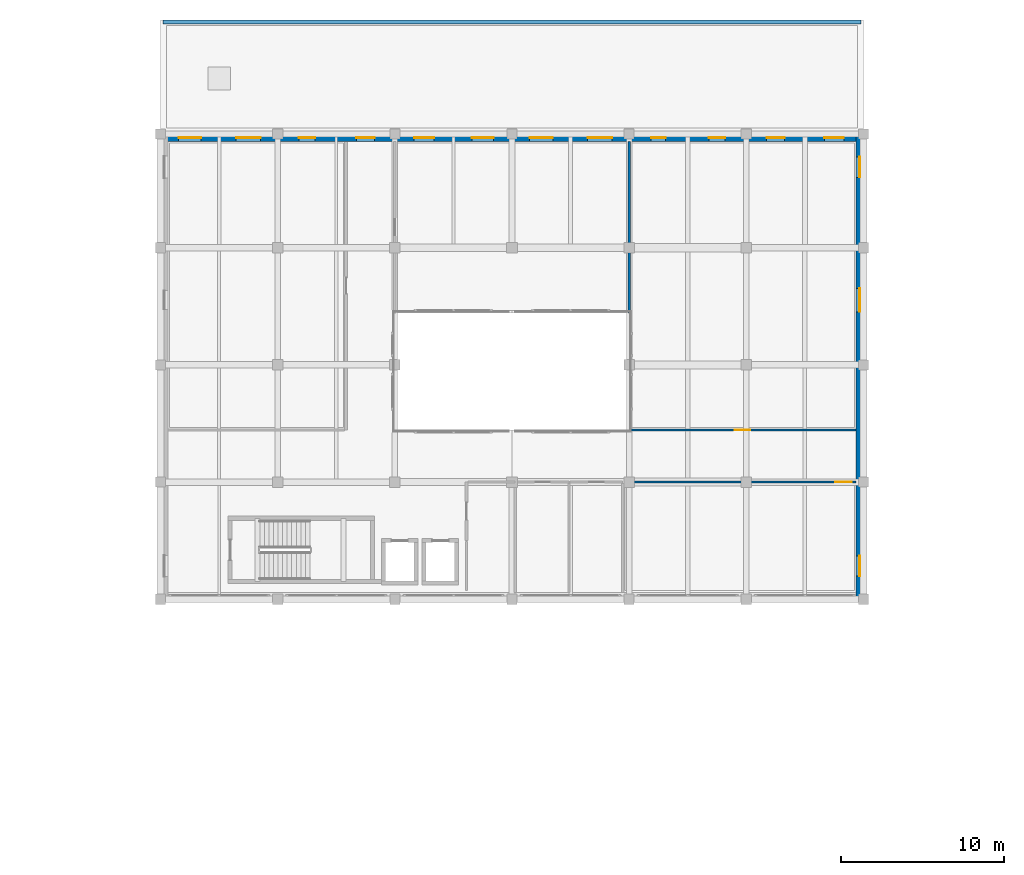
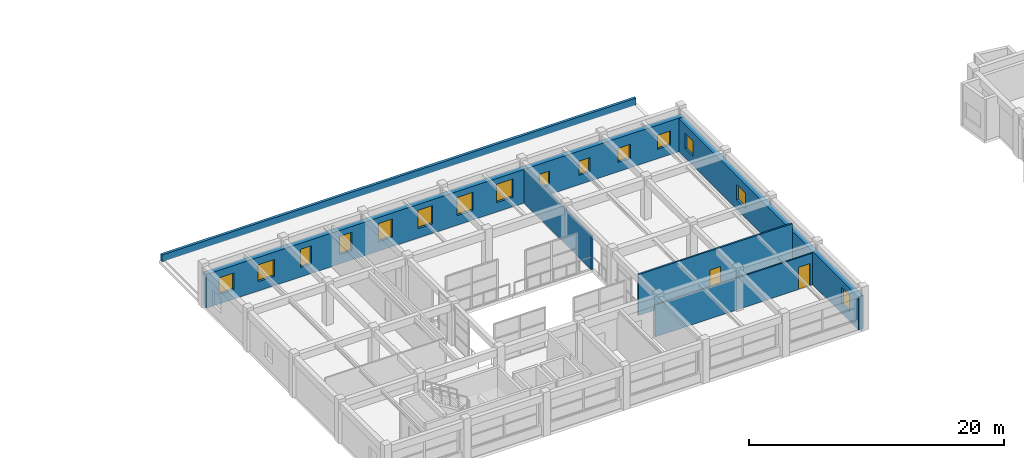
# One storey, part 51 of 67: 15 windows, 6 walls, 2 doors, 17 openings.
"""IFC4 building model written with IfcOpenShell, lengths in metres."""

from ifc_helpers import new_model, si_unit, direction, frame, frame_2d, origin, place, context, subcontext, project, spatial, rectangle, extrude, material, layer, layer_set, type_object, element, fill, save


model = new_model("IFC4")

# Units and contexts
model_context = context("Model", 3, precision=1e-05, world=origin(), true_north=direction((0.0, 1.0)))
body_context = subcontext(model_context, "Body", "Model", "MODEL_VIEW")
ifc_project = project(units=[si_unit("LENGTHUNIT", "METRE"), si_unit("AREAUNIT", "SQUARE_METRE"), si_unit("VOLUMEUNIT", "CUBIC_METRE"), si_unit("PLANEANGLEUNIT", "RADIAN"), si_unit("MASSUNIT", "GRAM", prefix="KILO")], contexts=[model_context])

# Site, building, storey
site_placement = place(None, origin())
site = spatial("IfcSite", under=ifc_project, at=site_placement, CompositionType="ELEMENT")
building_placement = place(site_placement, origin())
building = spatial("IfcBuilding", under=site, at=building_placement, Name="Bramveld Media Centre", CompositionType="ELEMENT")
storey_placement = place(building_placement, frame((0.0, 0.0, 5.39990234375)))
storey = spatial("IfcBuildingStorey", under=building, at=storey_placement, Name="L01", CompositionType="ELEMENT", Elevation=5.39990234375)

# Wall, openings, windows
ifc_material_1 = material(Name="Flemish red-brown clay facing brick cavity wall with concrete C35/45 inner leaf", Category="masonry")
ifc_layer_1 = layer(ifc_material_1, 0.4599609375)
ifc_layer_set_1 = layer_set([ifc_layer_1], Name="Flemish red-brown clay facing brick cavity wall with concrete C35/45 inner leaf")
wall_type_1 = type_object("IfcWallType", Name="EW-BRK-460", PredefinedType="SOLIDWALL", material=ifc_layer_set_1)
wall_1_placement = place(storey_placement, frame((108.570068359375, 119.0, 0.0), z_axis=(0.0, 0.0, 1.0), x_axis=(0.0, -1.0, 0.0)))
wall_1 = element("IfcWall", 1, at=wall_1_placement, inside=storey, type_object=wall_type_1, Name="V6 L01 E facing brick exterior wall", PredefinedType="SOLIDWALL", context=body_context, shape_type="SweptSolid", body=[
    extrude(rectangle(XDim=28.60009765625, YDim=0.4599609375, at=frame_2d((14.300048828125, 0.0))), origin(), (0.0, 0.0, 1.0), 3.175048828125),
])
opening_1_placement = place(wall_1_placement, frame((1.41796875, 0.0, 0.89990234375)))
opening_1 = element("IfcOpeningElement", 2, at=opening_1_placement, cuts=wall_1, Name="Opening W-10", PredefinedType="OPENING", context=body_context, shape_type="SweptSolid", body=[
    extrude(rectangle(XDim=1.25, YDim=1.449951171875, at=frame_2d((0.625, 0.72509765625))), frame((0.0, 0.241943359375, 0.0), z_axis=(0.0, -1.0, 0.0), x_axis=(1.0, 0.0, 0.0)), (0.0, 0.0, 1.0), 0.48388671875),
])
opening_2_placement = place(wall_1_placement, frame((9.4892578125, 0.0, 0.89990234375)))
opening_2 = element("IfcOpeningElement", 3, at=opening_2_placement, cuts=wall_1, Name="Opening W-12", PredefinedType="OPENING", context=body_context, shape_type="SweptSolid", body=[
    extrude(rectangle(XDim=1.449951171875, YDim=1.449951171875, at=frame_2d((0.72509765625, 0.72509765625))), frame((0.0, 0.241943359375, 0.0), z_axis=(0.0, -1.0, 0.0), x_axis=(1.0, 0.0, 0.0)), (0.0, 0.0, 1.0), 0.48388671875),
])
opening_3_placement = place(wall_1_placement, frame((25.93212890625, 0.0, 0.89990234375)))
opening_3 = element("IfcOpeningElement", 4, at=opening_3_placement, cuts=wall_1, Name="Opening W-16", PredefinedType="OPENING", context=body_context, shape_type="SweptSolid", body=[
    extrude(rectangle(XDim=1.25, YDim=1.60009765625, at=frame_2d((0.625, 0.800048828125))), frame((0.0, 0.241943359375, 0.0), z_axis=(0.0, -1.0, 0.0), x_axis=(1.0, 0.0, 0.0)), (0.0, 0.0, 1.0), 0.48388671875),
])
ifc_material_2 = material(Name="Thermally broken anodized bronze aluminium frame with triple acoustic glazing", Category="aluminium")
window_type_1 = type_object("IfcWindowType", Name="WIN-FAC-10", PartitioningType="SINGLE_PANEL", PredefinedType="WINDOW", material=ifc_material_2)
window_1_placement = place(opening_1_placement, origin())
window_1 = element("IfcWindow", 5, at=window_1_placement, inside=storey, type_object=window_type_1, Name="V6 L01 E acoustic facade window", OverallHeight=1.449951171875, OverallWidth=1.25, PartitioningType="SINGLE_PANEL", PredefinedType="WINDOW", context=body_context, shape_type="SweptSolid", body=[
    extrude(rectangle(XDim=1.25, YDim=1.449951171875, at=frame_2d((0.625, 0.72509765625))), frame((0.0, 0.030029296875, 0.0), z_axis=(0.0, -1.0, 0.0), x_axis=(1.0, 0.0, 0.0)), (0.0, 0.0, 1.0), 0.06005859375),
])
fill(opening_1, window_1)
ifc_material_3 = material(Name="Thermally broken anodized bronze aluminium frame with triple acoustic glazing", Category="aluminium")
window_type_2 = type_object("IfcWindowType", Name="WIN-FAC-12", PartitioningType="SINGLE_PANEL", PredefinedType="WINDOW", material=ifc_material_3)
window_2_placement = place(opening_2_placement, origin())
window_2 = element("IfcWindow", 6, at=window_2_placement, inside=storey, type_object=window_type_2, Name="V6 L01 E acoustic facade window", OverallHeight=1.449951171875, OverallWidth=1.449951171875, PartitioningType="SINGLE_PANEL", PredefinedType="WINDOW", context=body_context, shape_type="SweptSolid", body=[
    extrude(rectangle(XDim=1.449951171875, YDim=1.449951171875, at=frame_2d((0.72509765625, 0.72509765625))), frame((0.0, 0.030029296875, 0.0), z_axis=(0.0, -1.0, 0.0), x_axis=(1.0, 0.0, 0.0)), (0.0, 0.0, 1.0), 0.06005859375),
])
fill(opening_2, window_2)
ifc_material_4 = material(Name="Thermally broken anodized bronze aluminium frame with triple acoustic glazing", Category="aluminium")
window_type_3 = type_object("IfcWindowType", Name="WIN-FAC-16", PartitioningType="SINGLE_PANEL", PredefinedType="WINDOW", material=ifc_material_4)
window_3_placement = place(opening_3_placement, origin())
window_3 = element("IfcWindow", 7, at=window_3_placement, inside=storey, type_object=window_type_3, Name="V6 L01 E acoustic facade window", OverallHeight=1.60009765625, OverallWidth=1.25, PartitioningType="SINGLE_PANEL", PredefinedType="WINDOW", context=body_context, shape_type="SweptSolid", body=[
    extrude(rectangle(XDim=1.25, YDim=1.60009765625, at=frame_2d((0.625, 0.800048828125))), frame((0.0, 0.030029296875, 0.0), z_axis=(0.0, -1.0, 0.0), x_axis=(1.0, 0.0, 0.0)), (0.0, 0.0, 1.0), 0.06005859375),
])
fill(opening_3, window_3)

wall_2_placement = place(storey_placement, frame((65.60009765625, 118.77001953125, 0.0), z_axis=(0.0, 0.0, 1.0), x_axis=(1.0, 0.0, 0.0)))
wall_2 = element("IfcWall", 8, at=wall_2_placement, inside=storey, type_object=wall_type_1, Name="V6 L01 N facing brick exterior wall", PredefinedType="SOLIDWALL", context=body_context, shape_type="SweptSolid", body=[
    extrude(rectangle(XDim=43.199951171875, YDim=0.4599609375, at=frame_2d((21.60009765625, 0.0))), origin(), (0.0, 0.0, 1.0), 3.215087890625),
])
opening_4_placement = place(wall_2_placement, frame((1.110107421875, 0.0, 0.89990234375)))
opening_4 = element("IfcOpeningElement", 9, at=opening_4_placement, cuts=wall_2, Name="Opening W-17", PredefinedType="OPENING", context=body_context, shape_type="SweptSolid", body=[
    extrude(rectangle(XDim=1.3798828125, YDim=1.60009765625, at=frame_2d((0.68994140625, 0.800048828125))), frame((0.0, 0.241943359375, 0.0), z_axis=(0.0, -1.0, 0.0), x_axis=(1.0, 0.0, 0.0)), (0.0, 0.0, 1.0), 0.48388671875),
])
opening_5_placement = place(wall_2_placement, frame((4.64990234375, 0.0, 0.89990234375)))
opening_5 = element("IfcOpeningElement", 10, at=opening_5_placement, cuts=wall_2, Name="Opening W-18", PredefinedType="OPENING", context=body_context, shape_type="SweptSolid", body=[
    extrude(rectangle(XDim=1.5, YDim=1.60009765625, at=frame_2d((0.75, 0.800048828125))), frame((0.0, 0.241943359375, 0.0), z_axis=(0.0, -1.0, 0.0), x_axis=(1.0, 0.0, 0.0)), (0.0, 0.0, 1.0), 0.48388671875),
])
opening_6_placement = place(wall_2_placement, frame((8.5, 0.0, 0.89990234375)))
opening_6 = element("IfcOpeningElement", 11, at=opening_6_placement, cuts=wall_2, Name="Opening W-19", PredefinedType="OPENING", context=body_context, shape_type="SweptSolid", body=[
    extrude(rectangle(XDim=1.0, YDim=1.75, at=frame_2d((0.5, 0.875))), frame((0.0, 0.241943359375, 0.0), z_axis=(0.0, -1.0, 0.0), x_axis=(1.0, 0.0, 0.0)), (0.0, 0.0, 1.0), 0.48388671875),
])
opening_7_placement = place(wall_2_placement, frame((12.0400390625, 0.0, 0.89990234375)))
opening_7 = element("IfcOpeningElement", 12, at=opening_7_placement, cuts=wall_2, Name="Opening W-20", PredefinedType="OPENING", context=body_context, shape_type="SweptSolid", body=[
    extrude(rectangle(XDim=1.1201171875, YDim=1.75, at=frame_2d((0.56005859375, 0.875))), frame((0.0, 0.241943359375, 0.0), z_axis=(0.0, -1.0, 0.0), x_axis=(1.0, 0.0, 0.0)), (0.0, 0.0, 1.0), 0.48388671875),
])
opening_8_placement = place(wall_2_placement, frame((15.580078125, 0.0, 0.89990234375)))
opening_8 = element("IfcOpeningElement", 13, at=opening_8_placement, cuts=wall_2, Name="Opening W-21", PredefinedType="OPENING", context=body_context, shape_type="SweptSolid", body=[
    extrude(rectangle(XDim=1.239990234375, YDim=1.75, at=frame_2d((0.6201171875, 0.875))), frame((0.0, 0.241943359375, 0.0), z_axis=(0.0, -1.0, 0.0), x_axis=(1.0, 0.0, 0.0)), (0.0, 0.0, 1.0), 0.48388671875),
])
opening_9_placement = place(wall_2_placement, frame((19.1298828125, 0.0, 0.89990234375)))
opening_9 = element("IfcOpeningElement", 14, at=opening_9_placement, cuts=wall_2, Name="Opening W-22", PredefinedType="OPENING", context=body_context, shape_type="SweptSolid", body=[
    extrude(rectangle(XDim=1.340087890625, YDim=1.75, at=frame_2d((0.669921875, 0.875))), frame((0.0, 0.241943359375, 0.0), z_axis=(0.0, -1.0, 0.0), x_axis=(1.0, 0.0, 0.0)), (0.0, 0.0, 1.0), 0.48388671875),
])
opening_10_placement = place(wall_2_placement, frame((22.679931640625, 0.0, 0.89990234375)))
opening_10 = element("IfcOpeningElement", 15, at=opening_10_placement, cuts=wall_2, Name="Opening W-23", PredefinedType="OPENING", context=body_context, shape_type="SweptSolid", body=[
    extrude(rectangle(XDim=1.43994140625, YDim=1.75, at=frame_2d((0.719970703125, 0.875))), frame((0.0, 0.241943359375, 0.0), z_axis=(0.0, -1.0, 0.0), x_axis=(1.0, 0.0, 0.0)), (0.0, 0.0, 1.0), 0.48388671875),
])
opening_11_placement = place(wall_2_placement, frame((26.25, 0.0, 0.89990234375)))
opening_11 = element("IfcOpeningElement", 16, at=opening_11_placement, cuts=wall_2, Name="Opening W-24", PredefinedType="OPENING", context=body_context, shape_type="SweptSolid", body=[
    extrude(rectangle(XDim=1.5, YDim=1.75, at=frame_2d((0.75, 0.875))), frame((0.0, 0.241943359375, 0.0), z_axis=(0.0, -1.0, 0.0), x_axis=(1.0, 0.0, 0.0)), (0.0, 0.0, 1.0), 0.48388671875),
])
opening_12_placement = place(wall_2_placement, frame((30.14990234375, 0.0, 0.89990234375)))
opening_12 = element("IfcOpeningElement", 17, at=opening_12_placement, cuts=wall_2, Name="Opening W-01", PredefinedType="OPENING", context=body_context, shape_type="SweptSolid", body=[
    extrude(rectangle(XDim=0.89990234375, YDim=1.35009765625, at=frame_2d((0.449951171875, 0.675048828125))), frame((0.0, 0.241943359375, 0.0), z_axis=(0.0, -1.0, 0.0), x_axis=(1.0, 0.0, 0.0)), (0.0, 0.0, 1.0), 0.48388671875),
])
opening_13_placement = place(wall_2_placement, frame((33.699951171875, 0.0, 0.89990234375)))
opening_13 = element("IfcOpeningElement", 18, at=opening_13_placement, cuts=wall_2, Name="Opening W-02", PredefinedType="OPENING", context=body_context, shape_type="SweptSolid", body=[
    extrude(rectangle(XDim=1.0, YDim=1.35009765625, at=frame_2d((0.5, 0.675048828125))), frame((0.0, 0.241943359375, 0.0), z_axis=(0.0, -1.0, 0.0), x_axis=(1.0, 0.0, 0.0)), (0.0, 0.0, 1.0), 0.48388671875),
])
opening_14_placement = place(wall_2_placement, frame((37.25, 0.0, 0.89990234375)))
opening_14 = element("IfcOpeningElement", 19, at=opening_14_placement, cuts=wall_2, Name="Opening W-03", PredefinedType="OPENING", context=body_context, shape_type="SweptSolid", body=[
    extrude(rectangle(XDim=1.10009765625, YDim=1.35009765625, at=frame_2d((0.550048828125, 0.675048828125))), frame((0.0, 0.241943359375, 0.0), z_axis=(0.0, -1.0, 0.0), x_axis=(1.0, 0.0, 0.0)), (0.0, 0.0, 1.0), 0.48388671875),
])
opening_15_placement = place(wall_2_placement, frame((40.800048828125, 0.0, 0.89990234375)))
opening_15 = element("IfcOpeningElement", 20, at=opening_15_placement, cuts=wall_2, Name="Opening W-04", PredefinedType="OPENING", context=body_context, shape_type="SweptSolid", body=[
    extrude(rectangle(XDim=1.199951171875, YDim=1.35009765625, at=frame_2d((0.60009765625, 0.675048828125))), frame((0.0, 0.241943359375, 0.0), z_axis=(0.0, -1.0, 0.0), x_axis=(1.0, 0.0, 0.0)), (0.0, 0.0, 1.0), 0.48388671875),
])
ifc_material_5 = material(Name="Thermally broken anodized bronze aluminium frame with triple acoustic glazing", Category="aluminium")
window_type_4 = type_object("IfcWindowType", Name="WIN-FAC-01", PartitioningType="SINGLE_PANEL", PredefinedType="WINDOW", material=ifc_material_5)
window_4_placement = place(opening_12_placement, origin())
window_4 = element("IfcWindow", 21, at=window_4_placement, inside=storey, type_object=window_type_4, Name="V6 L01 N acoustic facade window", OverallHeight=1.35009765625, OverallWidth=0.89990234375, PartitioningType="SINGLE_PANEL", PredefinedType="WINDOW", context=body_context, shape_type="SweptSolid", body=[
    extrude(rectangle(XDim=0.89990234375, YDim=1.35009765625, at=frame_2d((0.449951171875, 0.675048828125))), frame((0.0, 0.030029296875, 0.0), z_axis=(0.0, -1.0, 0.0), x_axis=(1.0, 0.0, 0.0)), (0.0, 0.0, 1.0), 0.06005859375),
])
fill(opening_12, window_4)
ifc_material_6 = material(Name="Thermally broken anodized bronze aluminium frame with triple acoustic glazing", Category="aluminium")
window_type_5 = type_object("IfcWindowType", Name="WIN-FAC-02", PartitioningType="SINGLE_PANEL", PredefinedType="WINDOW", material=ifc_material_6)
window_5_placement = place(opening_13_placement, origin())
window_5 = element("IfcWindow", 22, at=window_5_placement, inside=storey, type_object=window_type_5, Name="V6 L01 N acoustic facade window", OverallHeight=1.35009765625, OverallWidth=1.0, PartitioningType="SINGLE_PANEL", PredefinedType="WINDOW", context=body_context, shape_type="SweptSolid", body=[
    extrude(rectangle(XDim=1.0, YDim=1.35009765625, at=frame_2d((0.5, 0.675048828125))), frame((0.0, 0.030029296875, 0.0), z_axis=(0.0, -1.0, 0.0), x_axis=(1.0, 0.0, 0.0)), (0.0, 0.0, 1.0), 0.06005859375),
])
fill(opening_13, window_5)
ifc_material_7 = material(Name="Thermally broken anodized bronze aluminium frame with triple acoustic glazing", Category="aluminium")
window_type_6 = type_object("IfcWindowType", Name="WIN-FAC-03", PartitioningType="SINGLE_PANEL", PredefinedType="WINDOW", material=ifc_material_7)
window_6_placement = place(opening_14_placement, origin())
window_6 = element("IfcWindow", 23, at=window_6_placement, inside=storey, type_object=window_type_6, Name="V6 L01 N acoustic facade window", OverallHeight=1.35009765625, OverallWidth=1.10009765625, PartitioningType="SINGLE_PANEL", PredefinedType="WINDOW", context=body_context, shape_type="SweptSolid", body=[
    extrude(rectangle(XDim=1.10009765625, YDim=1.35009765625, at=frame_2d((0.550048828125, 0.675048828125))), frame((0.0, 0.030029296875, 0.0), z_axis=(0.0, -1.0, 0.0), x_axis=(1.0, 0.0, 0.0)), (0.0, 0.0, 1.0), 0.06005859375),
])
fill(opening_14, window_6)
ifc_material_8 = material(Name="Thermally broken anodized bronze aluminium frame with triple acoustic glazing", Category="aluminium")
window_type_7 = type_object("IfcWindowType", Name="WIN-FAC-04", PartitioningType="SINGLE_PANEL", PredefinedType="WINDOW", material=ifc_material_8)
window_7_placement = place(opening_15_placement, origin())
window_7 = element("IfcWindow", 24, at=window_7_placement, inside=storey, type_object=window_type_7, Name="V6 L01 N acoustic facade window", OverallHeight=1.35009765625, OverallWidth=1.199951171875, PartitioningType="SINGLE_PANEL", PredefinedType="WINDOW", context=body_context, shape_type="SweptSolid", body=[
    extrude(rectangle(XDim=1.199951171875, YDim=1.35009765625, at=frame_2d((0.60009765625, 0.675048828125))), frame((0.0, 0.030029296875, 0.0), z_axis=(0.0, -1.0, 0.0), x_axis=(1.0, 0.0, 0.0)), (0.0, 0.0, 1.0), 0.06005859375),
])
fill(opening_15, window_7)
ifc_material_9 = material(Name="Thermally broken anodized bronze aluminium frame with triple acoustic glazing", Category="aluminium")
window_type_8 = type_object("IfcWindowType", Name="WIN-FAC-17", PartitioningType="SINGLE_PANEL", PredefinedType="WINDOW", material=ifc_material_9)
window_8_placement = place(opening_4_placement, origin())
window_8 = element("IfcWindow", 25, at=window_8_placement, inside=storey, type_object=window_type_8, Name="V6 L01 N acoustic facade window", OverallHeight=1.60009765625, OverallWidth=1.3798828125, PartitioningType="SINGLE_PANEL", PredefinedType="WINDOW", context=body_context, shape_type="SweptSolid", body=[
    extrude(rectangle(XDim=1.3798828125, YDim=1.60009765625, at=frame_2d((0.68994140625, 0.800048828125))), frame((0.0, 0.030029296875, 0.0), z_axis=(0.0, -1.0, 0.0), x_axis=(1.0, 0.0, 0.0)), (0.0, 0.0, 1.0), 0.06005859375),
])
fill(opening_4, window_8)
ifc_material_10 = material(Name="Thermally broken anodized bronze aluminium frame with triple acoustic glazing", Category="aluminium")
window_type_9 = type_object("IfcWindowType", Name="WIN-FAC-18", PartitioningType="SINGLE_PANEL", PredefinedType="WINDOW", material=ifc_material_10)
window_9_placement = place(opening_5_placement, origin())
window_9 = element("IfcWindow", 26, at=window_9_placement, inside=storey, type_object=window_type_9, Name="V6 L01 N acoustic facade window", OverallHeight=1.60009765625, OverallWidth=1.5, PartitioningType="SINGLE_PANEL", PredefinedType="WINDOW", context=body_context, shape_type="SweptSolid", body=[
    extrude(rectangle(XDim=1.5, YDim=1.60009765625, at=frame_2d((0.75, 0.800048828125))), frame((0.0, 0.030029296875, 0.0), z_axis=(0.0, -1.0, 0.0), x_axis=(1.0, 0.0, 0.0)), (0.0, 0.0, 1.0), 0.06005859375),
])
fill(opening_5, window_9)
ifc_material_11 = material(Name="Thermally broken anodized bronze aluminium frame with triple acoustic glazing", Category="aluminium")
window_type_10 = type_object("IfcWindowType", Name="WIN-FAC-19", PartitioningType="SINGLE_PANEL", PredefinedType="WINDOW", material=ifc_material_11)
window_10_placement = place(opening_6_placement, origin())
window_10 = element("IfcWindow", 27, at=window_10_placement, inside=storey, type_object=window_type_10, Name="V6 L01 N acoustic facade window", OverallHeight=1.75, OverallWidth=1.0, PartitioningType="SINGLE_PANEL", PredefinedType="WINDOW", context=body_context, shape_type="SweptSolid", body=[
    extrude(rectangle(XDim=1.0, YDim=1.75, at=frame_2d((0.5, 0.875))), frame((0.0, 0.030029296875, 0.0), z_axis=(0.0, -1.0, 0.0), x_axis=(1.0, 0.0, 0.0)), (0.0, 0.0, 1.0), 0.06005859375),
])
fill(opening_6, window_10)
ifc_material_12 = material(Name="Thermally broken anodized bronze aluminium frame with triple acoustic glazing", Category="aluminium")
window_type_11 = type_object("IfcWindowType", Name="WIN-FAC-20", PartitioningType="SINGLE_PANEL", PredefinedType="WINDOW", material=ifc_material_12)
window_11_placement = place(opening_7_placement, origin())
window_11 = element("IfcWindow", 28, at=window_11_placement, inside=storey, type_object=window_type_11, Name="V6 L01 N acoustic facade window", OverallHeight=1.75, OverallWidth=1.1201171875, PartitioningType="SINGLE_PANEL", PredefinedType="WINDOW", context=body_context, shape_type="SweptSolid", body=[
    extrude(rectangle(XDim=1.1201171875, YDim=1.75, at=frame_2d((0.56005859375, 0.875))), frame((0.0, 0.030029296875, 0.0), z_axis=(0.0, -1.0, 0.0), x_axis=(1.0, 0.0, 0.0)), (0.0, 0.0, 1.0), 0.06005859375),
])
fill(opening_7, window_11)
ifc_material_13 = material(Name="Thermally broken anodized bronze aluminium frame with triple acoustic glazing", Category="aluminium")
window_type_12 = type_object("IfcWindowType", Name="WIN-FAC-21", PartitioningType="SINGLE_PANEL", PredefinedType="WINDOW", material=ifc_material_13)
window_12_placement = place(opening_8_placement, origin())
window_12 = element("IfcWindow", 29, at=window_12_placement, inside=storey, type_object=window_type_12, Name="V6 L01 N acoustic facade window", OverallHeight=1.75, OverallWidth=1.239990234375, PartitioningType="SINGLE_PANEL", PredefinedType="WINDOW", context=body_context, shape_type="SweptSolid", body=[
    extrude(rectangle(XDim=1.239990234375, YDim=1.75, at=frame_2d((0.6201171875, 0.875))), frame((0.0, 0.030029296875, 0.0), z_axis=(0.0, -1.0, 0.0), x_axis=(1.0, 0.0, 0.0)), (0.0, 0.0, 1.0), 0.06005859375),
])
fill(opening_8, window_12)
ifc_material_14 = material(Name="Thermally broken anodized bronze aluminium frame with triple acoustic glazing", Category="aluminium")
window_type_13 = type_object("IfcWindowType", Name="WIN-FAC-22", PartitioningType="SINGLE_PANEL", PredefinedType="WINDOW", material=ifc_material_14)
window_13_placement = place(opening_9_placement, origin())
window_13 = element("IfcWindow", 30, at=window_13_placement, inside=storey, type_object=window_type_13, Name="V6 L01 N acoustic facade window", OverallHeight=1.75, OverallWidth=1.340087890625, PartitioningType="SINGLE_PANEL", PredefinedType="WINDOW", context=body_context, shape_type="SweptSolid", body=[
    extrude(rectangle(XDim=1.340087890625, YDim=1.75, at=frame_2d((0.669921875, 0.875))), frame((0.0, 0.030029296875, 0.0), z_axis=(0.0, -1.0, 0.0), x_axis=(1.0, 0.0, 0.0)), (0.0, 0.0, 1.0), 0.06005859375),
])
fill(opening_9, window_13)
ifc_material_15 = material(Name="Thermally broken anodized bronze aluminium frame with triple acoustic glazing", Category="aluminium")
window_type_14 = type_object("IfcWindowType", Name="WIN-FAC-23", PartitioningType="SINGLE_PANEL", PredefinedType="WINDOW", material=ifc_material_15)
window_14_placement = place(opening_10_placement, origin())
window_14 = element("IfcWindow", 31, at=window_14_placement, inside=storey, type_object=window_type_14, Name="V6 L01 N acoustic facade window", OverallHeight=1.75, OverallWidth=1.43994140625, PartitioningType="SINGLE_PANEL", PredefinedType="WINDOW", context=body_context, shape_type="SweptSolid", body=[
    extrude(rectangle(XDim=1.43994140625, YDim=1.75, at=frame_2d((0.719970703125, 0.875))), frame((0.0, 0.030029296875, 0.0), z_axis=(0.0, -1.0, 0.0), x_axis=(1.0, 0.0, 0.0)), (0.0, 0.0, 1.0), 0.06005859375),
])
fill(opening_10, window_14)
ifc_material_16 = material(Name="Thermally broken anodized bronze aluminium frame with triple acoustic glazing", Category="aluminium")
window_type_15 = type_object("IfcWindowType", Name="WIN-FAC-24", PartitioningType="SINGLE_PANEL", PredefinedType="WINDOW", material=ifc_material_16)
window_15_placement = place(opening_11_placement, origin())
window_15 = element("IfcWindow", 32, at=window_15_placement, inside=storey, type_object=window_type_15, Name="V6 L01 N acoustic facade window", OverallHeight=1.75, OverallWidth=1.5, PartitioningType="SINGLE_PANEL", PredefinedType="WINDOW", context=body_context, shape_type="SweptSolid", body=[
    extrude(rectangle(XDim=1.5, YDim=1.75, at=frame_2d((0.75, 0.875))), frame((0.0, 0.030029296875, 0.0), z_axis=(0.0, -1.0, 0.0), x_axis=(1.0, 0.0, 0.0)), (0.0, 0.0, 1.0), 0.06005859375),
])
fill(opening_11, window_15)

# Wall, opening, door
ifc_material_17 = material(Name="Lightweight acoustic stud partition", Category="gypsum")
ifc_layer_2 = layer(ifc_material_17, 0.125)
ifc_layer_set_2 = layer_set([ifc_layer_2], Name="Lightweight acoustic stud partition")
wall_type_2 = type_object("IfcWallType", Name="IW-PART-125", PredefinedType="PARTITIONING", material=ifc_layer_set_2)
wall_3_placement = place(storey_placement, frame((94.080078125, 97.60009765625, 0.0), z_axis=(0.0, 0.0, 1.0), x_axis=(1.0, 0.0, 0.0)))
wall_3 = element("IfcWall", 33, at=wall_3_placement, inside=storey, type_object=wall_type_2, Name="Curatorial Reception Lounge partition wall", PredefinedType="PARTITIONING", context=body_context, shape_type="SweptSolid", body=[
    extrude(rectangle(XDim=14.25, YDim=0.125, at=frame_2d((7.125, 0.0))), origin(), (0.0, 0.0, 1.0), 3.045166015625),
])
opening_16_placement = place(wall_3_placement, frame((12.97998046875, 0.0, 0.0)))
opening_16 = element("IfcOpeningElement", 34, at=opening_16_placement, cuts=wall_3, Name="Opening D-01-084", PredefinedType="OPENING", context=body_context, shape_type="SweptSolid", body=[
    extrude(rectangle(XDim=1.02001953125, YDim=2.1201171875, at=frame_2d((0.510009765625, 1.06005859375))), frame((0.0, 0.074462890625, 0.0), z_axis=(0.0, -1.0, 0.0), x_axis=(1.0, 0.0, 0.0)), (0.0, 0.0, 1.0), 0.14892578125),
])
ifc_material_18 = material(Name="Solid-core European oak acoustic timber leaf in steel frame", Category="steel")
door_type_1 = type_object("IfcDoorType", Name="DR-RM-1020", OperationType="NOTDEFINED", PredefinedType="DOOR", material=ifc_material_18)
door_1_placement = place(opening_16_placement, origin())
door_1 = element("IfcDoor", 35, at=door_1_placement, inside=storey, type_object=door_type_1, Name="Curatorial Reception Lounge entrance door", OperationType="SINGLE_SWING_LEFT", OverallHeight=2.1201171875, OverallWidth=1.02001953125, PredefinedType="DOOR", context=body_context, shape_type="SweptSolid", body=[
    extrude(rectangle(XDim=1.02001953125, YDim=2.1201171875, at=frame_2d((0.510009765625, 1.06005859375))), frame((0.0, 0.02490234375, 0.0), z_axis=(0.0, -1.0, 0.0), x_axis=(1.0, 0.0, 0.0)), (0.0, 0.0, 1.0), 0.050048828125),
])
fill(opening_16, door_1)

# Wall
ifc_material_19 = material(Name="Insulated metal-stud gypsum room partition", Category="gypsum")
ifc_layer_3 = layer(ifc_material_19, 0.14990234375)
ifc_layer_set_3 = layer_set([ifc_layer_3], Name="Insulated metal-stud gypsum room partition")
wall_type_3 = type_object("IfcWallType", Name="IW-PART-150", PredefinedType="PARTITIONING", material=ifc_layer_set_3)
wall_4_placement = place(storey_placement, frame((94.39990234375, 108.0, 0.0), z_axis=(0.0, 0.0, 1.0), x_axis=(0.0, 1.0, 0.0)))
element("IfcWall", 36, at=wall_4_placement, inside=storey, type_object=wall_type_3, Name="North Canal Photography Gallery partition wall", PredefinedType="PARTITIONING", context=body_context, shape_type="SweptSolid", body=[
    extrude(rectangle(XDim=10.530029296875, YDim=0.14990234375, at=frame_2d((5.26513671875, 0.0))), origin(), (0.0, 0.0, 1.0), 3.295166015625),
])

# Wall, opening, door
wall_5_placement = place(storey_placement, frame((94.39990234375, 100.800048828125, 0.0), z_axis=(0.0, 0.0, 1.0), x_axis=(1.0, 0.0, 0.0)))
wall_5 = element("IfcWall", 37, at=wall_5_placement, inside=storey, type_object=wall_type_3, Name="Interactive Broadcast History Gallery partition wall", PredefinedType="PARTITIONING", context=body_context, shape_type="SweptSolid", body=[
    extrude(rectangle(XDim=13.93017578125, YDim=0.14990234375, at=frame_2d((6.965087890625, 0.0))), origin(), (0.0, 0.0, 1.0), 3.920166015625),
])
opening_17_placement = place(wall_5_placement, frame((6.4951171875, 0.0, 0.0)))
opening_17 = element("IfcOpeningElement", 38, at=opening_17_placement, cuts=wall_5, Name="Opening D-01-087", PredefinedType="OPENING", context=body_context, shape_type="SweptSolid", body=[
    extrude(rectangle(XDim=0.93994140625, YDim=2.10009765625, at=frame_2d((0.469970703125, 1.050048828125))), frame((0.0, 0.0869140625, 0.0), z_axis=(0.0, -1.0, 0.0), x_axis=(1.0, 0.0, 0.0)), (0.0, 0.0, 1.0), 0.173828125),
])
ifc_material_20 = material(Name="Solid-core European oak acoustic timber leaf in steel frame", Category="steel")
door_type_2 = type_object("IfcDoorType", Name="DR-RM-0940", OperationType="NOTDEFINED", PredefinedType="DOOR", material=ifc_material_20)
door_2_placement = place(opening_17_placement, origin())
door_2 = element("IfcDoor", 39, at=door_2_placement, inside=storey, type_object=door_type_2, Name="Interactive Broadcast History Gallery entrance door", OperationType="SINGLE_SWING_RIGHT", OverallHeight=2.10009765625, OverallWidth=0.93994140625, PredefinedType="DOOR", context=body_context, shape_type="SweptSolid", body=[
    extrude(rectangle(XDim=0.93994140625, YDim=2.10009765625, at=frame_2d((0.469970703125, 1.050048828125))), frame((0.0, 0.02490234375, 0.0), z_axis=(0.0, -1.0, 0.0), x_axis=(1.0, 0.0, 0.0)), (0.0, 0.0, 1.0), 0.050048828125),
])
fill(opening_17, door_2)

# Wall
ifc_material_21 = material(Name="Precast concrete C40/50 capped brick roof parapet", Category="masonry")
ifc_layer_4 = layer(ifc_material_21, 0.239990234375)
ifc_layer_set_4 = layer_set([ifc_layer_4], Name="Precast concrete C40/50 capped brick roof parapet")
wall_type_4 = type_object("IfcWallType", Name="PARAPET-240", PredefinedType="PARAPET", material=ifc_layer_set_4)
wall_6_placement = place(storey_placement, frame((65.75, 125.8798828125, 0.0), z_axis=(0.0, 0.0, 1.0), x_axis=(1.0, 0.0, 0.0)))
element("IfcWall", 40, at=wall_6_placement, inside=storey, type_object=wall_type_4, Name="V6 L01 roof parapet upstand", PredefinedType="PARAPET", context=body_context, shape_type="SweptSolid", body=[
    extrude(rectangle(XDim=42.89990234375, YDim=0.239990234375, at=frame_2d((21.449951171875, 0.0))), origin(), (0.0, 0.0, 1.0), 0.650146484375),
])

save(model, "model.ifc")
